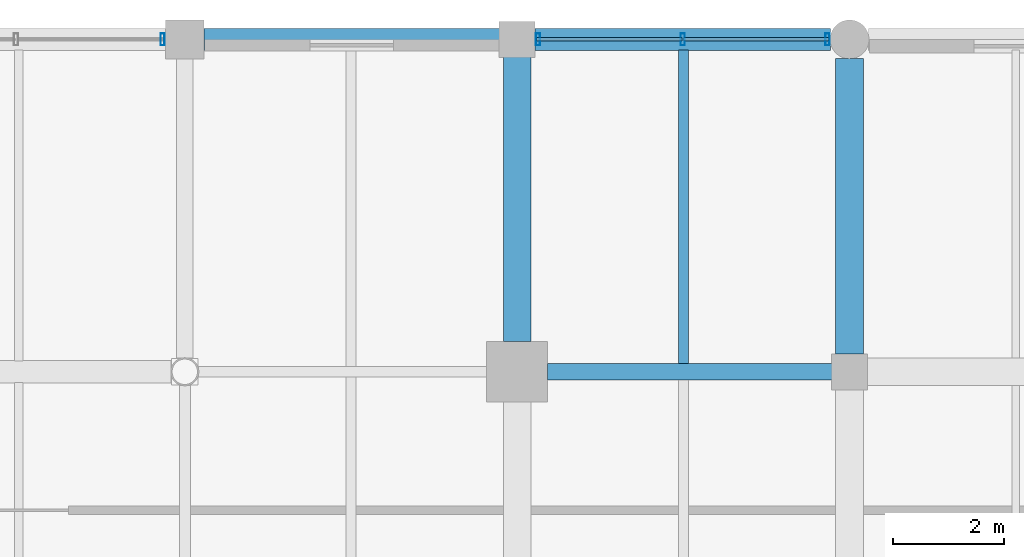
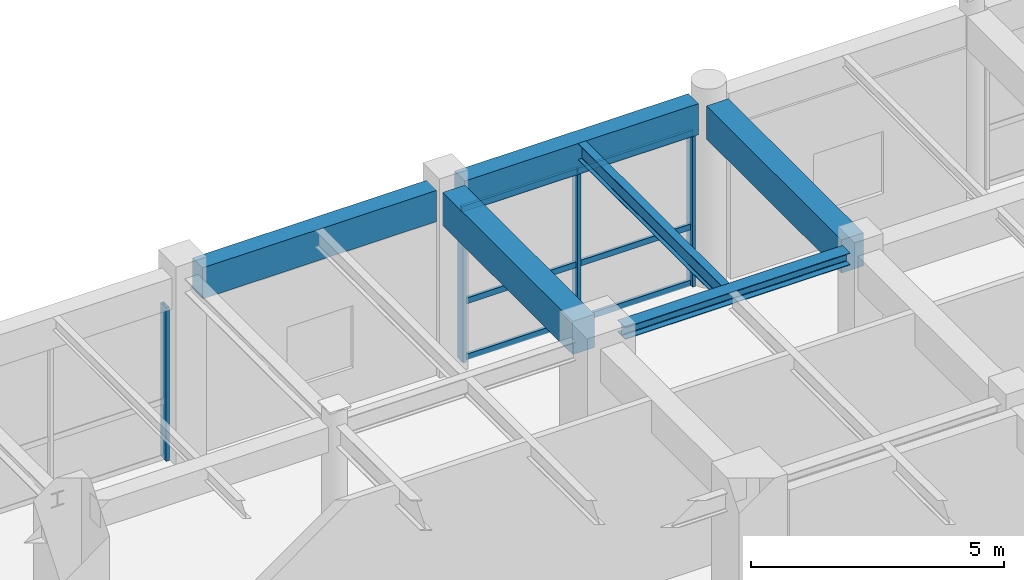
# One storey, part 63 of 123: 10 members, 6 beams, 2 elements without a shape of their own.
"""IFC4 building model written with IfcOpenShell, lengths in metres."""

from ifc_helpers import new_model, si_unit, direction, frame, origin, origin_2d, place, context, subcontext, project, spatial, rectangle, hollow_rectangle, i_section, extrude, material, material_profile, profile_set, type_object, element, aggregate, save


model = new_model("IFC4")

# Units and contexts
model_context = context("Model", 3, precision=1e-05, world=origin(), true_north=direction((0.0, 1.0)))
body_context = subcontext(model_context, "Body", "Model", "MODEL_VIEW")
ifc_project = project(units=[si_unit("LENGTHUNIT", "METRE"), si_unit("AREAUNIT", "SQUARE_METRE"), si_unit("VOLUMEUNIT", "CUBIC_METRE"), si_unit("PLANEANGLEUNIT", "RADIAN"), si_unit("MASSUNIT", "GRAM", prefix="KILO"), si_unit("THERMODYNAMICTEMPERATUREUNIT", "KELVIN"), si_unit("POWERUNIT", "WATT")], contexts=[model_context])

# Site, building, storey
site_placement = place(None, origin())
site = spatial("IfcSite", under=ifc_project, at=site_placement, CompositionType="ELEMENT")
building_placement = place(site_placement, origin())
building = spatial("IfcBuilding", under=site, at=building_placement, Name="Phaisarnlok Congress Hotel", CompositionType="ELEMENT")
storey_placement = place(building_placement, frame((0.0, 0.0, 15.0)))
storey = spatial("IfcBuildingStorey", under=building, at=storey_placement, Name="L03", CompositionType="ELEMENT", Elevation=15.0)

# Beams
ifc_material_1 = material(Name="Concrete C40/50", Category="concrete")
ifc_material_profile_1 = material_profile(ifc_material_1, rectangle(XDim=0.5, YDim=0.800048828125, at=origin_2d()), Name="RC 500x800")
ifc_profile_set_1 = profile_set([ifc_material_profile_1], Name="Concrete C40/50")
beam_type_1 = type_object("IfcBeamType", Name="BM-RC-500x800", PredefinedType="BEAM", material=ifc_profile_set_1)
beam_1_placement = place(storey_placement, frame((120.0, 120.544921875, 4.050048828125), z_axis=(0.0, 1.0, 0.0), x_axis=(-1.0, 0.0, 0.0)))
element("IfcBeam", 1, at=beam_1_placement, inside=storey, type_object=beam_type_1, Name="Beam B-04", PredefinedType="BEAM", context=body_context, shape_type="SweptSolid", body=[
    extrude(rectangle(XDim=0.5, YDim=0.800048828125, at=origin_2d()), origin(), (0.0, 0.0, 1.0), 5.135009765625),
])
beam_2_placement = place(storey_placement, frame((126.0, 120.320068359375, 4.050048828125), z_axis=(0.0, 1.0, 0.0), x_axis=(-1.0, 0.0, 0.0)))
element("IfcBeam", 2, at=beam_2_placement, inside=storey, type_object=beam_type_1, Name="Beam B-04", PredefinedType="BEAM", context=body_context, shape_type="SweptSolid", body=[
    extrude(rectangle(XDim=0.5, YDim=0.800048828125, at=origin_2d()), origin(), (0.0, 0.0, 1.0), 5.3349609375),
])
ifc_material_2 = material(Name="Steel S355", Category="steel")
ifc_material_profile_2 = material_profile(ifc_material_2, i_section(OverallWidth=0.300048828125, OverallDepth=0.2900390625, WebThickness=0.008544921875, FlangeThickness=0.013916015625, FilletRadius=0.027099609375, at=origin_2d()), Name="HEA 300")
ifc_profile_set_2 = profile_set([ifc_material_profile_2], Name="Steel S355")
beam_type_2 = type_object("IfcBeamType", Name="BM-STL-HEA300", PredefinedType="BEAM", material=ifc_profile_set_2)
beam_3_placement = place(storey_placement, frame((120.544921875, 120.0, 4.304931640625), z_axis=(1.0, 0.0, 0.0), x_axis=(0.0, 1.0, 0.0)))
element("IfcBeam", 3, at=beam_3_placement, inside=storey, type_object=beam_type_2, Name="Beam SB-05", PredefinedType="BEAM", context=body_context, shape_type="SweptSolid", body=[
    extrude(i_section(OverallWidth=0.300048828125, OverallDepth=0.2900390625, WebThickness=0.008544921875, FlangeThickness=0.013916015625, FilletRadius=0.027099609375, at=origin_2d()), origin(), (0.0, 0.0, 1.0), 5.135009765625),
])

# Curtain wall, members
ifc_material_3 = material(Name="Thermally Broken Unitised Aluminium & Low-E Glazing", Category="aluminium")
curtain_wall_type_1 = type_object("IfcCurtainWallType", Name="CW-UNIT-30", PredefinedType="NOTDEFINED", material=ifc_material_3)
curtain_wall_1_placement = place(storey_placement, origin())
curtain_wall_1 = element("IfcCurtainWall", 4, at=curtain_wall_1_placement, inside=storey, type_object=curtain_wall_type_1, Name="Unitised curtain wall CW-30 (L03)", PredefinedType="NOTDEFINED")
ifc_material_4 = material(Name="Anodised Aluminium Alloy 6063-T6", Category="aluminium")
ifc_material_profile_3 = material_profile(ifc_material_4, hollow_rectangle(XDim=0.074951171875, YDim=0.219970703125, WallThickness=0.0048828125, at=origin_2d()), Name="ALU-M 75x220x5")
ifc_profile_set_3 = profile_set([ifc_material_profile_3], Name="Anodised Aluminium Alloy 6063-T6")
member_type_1 = type_object("IfcMemberType", Name="CWM-220", PredefinedType="MULLION", material=ifc_profile_set_3)
member_1_placement = place(storey_placement, frame((125.60009765625, 126.0, 0.0), z_axis=(0.0, 0.0, 1.0), x_axis=(-1.0, 0.0, 0.0)))
member_1 = element("IfcMember", 5, at=member_1_placement, type_object=member_type_1, Name="Curtain wall mullion CWM-02", PredefinedType="MULLION", context=body_context, shape_type="SweptSolid", body=[
    extrude(hollow_rectangle(XDim=0.074951171875, YDim=0.219970703125, WallThickness=0.0048828125, at=origin_2d()), origin(), (0.0, 0.0, 1.0), 3.699951171875),
])
member_2_placement = place(storey_placement, frame((122.987548828125, 126.0, 0.0), z_axis=(0.0, 0.0, 1.0), x_axis=(-1.0, 0.0, 0.0)))
member_2 = element("IfcMember", 6, at=member_2_placement, type_object=member_type_1, Name="Curtain wall mullion CWM-02", PredefinedType="MULLION", context=body_context, shape_type="SweptSolid", body=[
    extrude(hollow_rectangle(XDim=0.074951171875, YDim=0.219970703125, WallThickness=0.0048828125, at=origin_2d()), origin(), (0.0, 0.0, 1.0), 3.699951171875),
])
member_3_placement = place(storey_placement, frame((120.375, 126.0, 0.0), z_axis=(0.0, 0.0, 1.0), x_axis=(-1.0, 0.0, 0.0)))
member_3 = element("IfcMember", 7, at=member_3_placement, type_object=member_type_1, Name="Curtain wall mullion CWM-02", PredefinedType="MULLION", context=body_context, shape_type="SweptSolid", body=[
    extrude(hollow_rectangle(XDim=0.074951171875, YDim=0.219970703125, WallThickness=0.0048828125, at=origin_2d()), origin(), (0.0, 0.0, 1.0), 3.699951171875),
])

# Curtain wall, member
curtain_wall_type_2 = type_object("IfcCurtainWallType", Name="CW-UNIT-31", PredefinedType="NOTDEFINED", material=ifc_material_3)
curtain_wall_2_placement = place(storey_placement, origin())
curtain_wall_2 = element("IfcCurtainWall", 8, at=curtain_wall_2_placement, inside=storey, type_object=curtain_wall_type_2, Name="Unitised curtain wall CW-31 (L03)", PredefinedType="NOTDEFINED")
member_4_placement = place(storey_placement, frame((113.60009765625, 126.0, 0.0), z_axis=(0.0, 0.0, 1.0), x_axis=(-1.0, 0.0, 0.0)))
member_4 = element("IfcMember", 9, at=member_4_placement, type_object=member_type_1, Name="Curtain wall mullion CWM-02", PredefinedType="MULLION", context=body_context, shape_type="SweptSolid", body=[
    extrude(hollow_rectangle(XDim=0.074951171875, YDim=0.219970703125, WallThickness=0.0048828125, at=origin_2d()), origin(), (0.0, 0.0, 1.0), 3.699951171875),
])
aggregate(curtain_wall_2, [member_4])

# Member
ifc_material_profile_4 = material_profile(ifc_material_4, hollow_rectangle(XDim=0.06494140625, YDim=0.139892578125, WallThickness=0.00390625, at=origin_2d()), Name="ALU-T 65x140x4")
ifc_profile_set_4 = profile_set([ifc_material_profile_4], Name="Anodised Aluminium Alloy 6063-T6")
member_type_2 = type_object("IfcMemberType", Name="CWT-150", PredefinedType="USERDEFINED", material=ifc_profile_set_4)
member_5_placement = place(storey_placement, frame((125.625, 126.0, 0.050048828125), z_axis=(-1.0, 0.0, 0.0), x_axis=(0.0, -1.0, 0.0)))
member_5 = element("IfcMember", 10, at=member_5_placement, type_object=member_type_2, Name="Curtain wall transom CWT-01", ObjectType="TRANSOM", PredefinedType="USERDEFINED", context=body_context, shape_type="SweptSolid", body=[
    extrude(hollow_rectangle(XDim=0.06494140625, YDim=0.139892578125, WallThickness=0.00390625, at=origin_2d()), origin(), (0.0, 0.0, 1.0), 2.62255859375),
])

member_6_placement = place(storey_placement, frame((125.625, 126.0, 1.406005859375), z_axis=(-1.0, 0.0, 0.0), x_axis=(0.0, -1.0, 0.0)))
member_6 = element("IfcMember", 11, at=member_6_placement, type_object=member_type_2, Name="Curtain wall transom CWT-01", ObjectType="TRANSOM", PredefinedType="USERDEFINED", context=body_context, shape_type="SweptSolid", body=[
    extrude(hollow_rectangle(XDim=0.06494140625, YDim=0.139892578125, WallThickness=0.00390625, at=origin_2d()), origin(), (0.0, 0.0, 1.0), 2.62255859375),
])

member_7_placement = place(storey_placement, frame((125.625, 126.0, 3.64990234375), z_axis=(-1.0, 0.0, 0.0), x_axis=(0.0, -1.0, 0.0)))
member_7 = element("IfcMember", 12, at=member_7_placement, type_object=member_type_2, Name="Curtain wall transom CWT-01", ObjectType="TRANSOM", PredefinedType="USERDEFINED", context=body_context, shape_type="SweptSolid", body=[
    extrude(hollow_rectangle(XDim=0.06494140625, YDim=0.139892578125, WallThickness=0.00390625, at=origin_2d()), origin(), (0.0, 0.0, 1.0), 2.62255859375),
])

member_8_placement = place(storey_placement, frame((122.972412109375, 126.0, 0.050048828125), z_axis=(-1.0, 0.0, 0.0), x_axis=(0.0, -1.0, 0.0)))
member_8 = element("IfcMember", 13, at=member_8_placement, type_object=member_type_2, Name="Curtain wall transom CWT-01", ObjectType="TRANSOM", PredefinedType="USERDEFINED", context=body_context, shape_type="SweptSolid", body=[
    extrude(hollow_rectangle(XDim=0.06494140625, YDim=0.139892578125, WallThickness=0.00390625, at=origin_2d()), origin(), (0.0, 0.0, 1.0), 2.622314453125),
])

member_9_placement = place(storey_placement, frame((122.972412109375, 126.0, 1.406005859375), z_axis=(-1.0, 0.0, 0.0), x_axis=(0.0, -1.0, 0.0)))
member_9 = element("IfcMember", 14, at=member_9_placement, type_object=member_type_2, Name="Curtain wall transom CWT-01", ObjectType="TRANSOM", PredefinedType="USERDEFINED", context=body_context, shape_type="SweptSolid", body=[
    extrude(hollow_rectangle(XDim=0.06494140625, YDim=0.139892578125, WallThickness=0.00390625, at=origin_2d()), origin(), (0.0, 0.0, 1.0), 2.622314453125),
])

member_10_placement = place(storey_placement, frame((122.972412109375, 126.0, 3.64990234375), z_axis=(-1.0, 0.0, 0.0), x_axis=(0.0, -1.0, 0.0)))
member_10 = element("IfcMember", 15, at=member_10_placement, type_object=member_type_2, Name="Curtain wall transom CWT-01", ObjectType="TRANSOM", PredefinedType="USERDEFINED", context=body_context, shape_type="SweptSolid", body=[
    extrude(hollow_rectangle(XDim=0.06494140625, YDim=0.139892578125, WallThickness=0.00390625, at=origin_2d()), origin(), (0.0, 0.0, 1.0), 2.622314453125),
])

aggregate(curtain_wall_1, [member_1, member_2, member_3, member_5, member_6, member_7, member_8, member_9, member_10])

# Beams
ifc_material_profile_5 = material_profile(ifc_material_2, i_section(OverallWidth=0.179931640625, OverallDepth=0.39990234375, WebThickness=0.008544921875, FlangeThickness=0.013427734375, FilletRadius=0.02099609375, at=origin_2d()), Name="IPE 400")
ifc_profile_set_5 = profile_set([ifc_material_profile_5], Name="Steel S355")
beam_type_3 = type_object("IfcBeamType", Name="JS-STL-IPE400", PredefinedType="JOIST", material=ifc_profile_set_5)
beam_4_placement = place(storey_placement, frame((123.0, 120.14501953125, 4.25), z_axis=(0.0, 1.0, 0.0), x_axis=(-1.0, 0.0, 0.0)))
element("IfcBeam", 16, at=beam_4_placement, inside=storey, type_object=beam_type_3, Name="Secondary floor joist J-05", PredefinedType="JOIST", context=body_context, shape_type="SweptSolid", body=[
    extrude(i_section(OverallWidth=0.179931640625, OverallDepth=0.39990234375, WebThickness=0.008544921875, FlangeThickness=0.013427734375, FilletRadius=0.02099609375, at=origin_2d()), origin(), (0.0, 0.0, 1.0), 5.659912109375),
])
ifc_material_profile_6 = material_profile(ifc_material_1, rectangle(XDim=0.39990234375, YDim=0.75, at=origin_2d()), Name="RC 400x750")
ifc_profile_set_6 = profile_set([ifc_material_profile_6], Name="Concrete C40/50")
beam_type_4 = type_object("IfcBeamType", Name="SP-RC-400x750", PredefinedType="SPANDREL", material=ifc_profile_set_6)
for number, where, z_axis, x_axis, name in (
    (17, (114.344970703125, 126.0, 4.074951171875), (1.0, 0.0, 0.0), (0.0, 1.0, 0.0), "Beam SP-02"),
    (18, (120.320068359375, 126.0, 4.074951171875), (1.0, 0.0, 0.0), (0.0, 1.0, 0.0), "Beam SP-02"),
):
    element("IfcBeam", number, at=place(storey_placement, frame(where, z_axis=z_axis, x_axis=x_axis)), inside=storey, type_object=beam_type_4, Name=name, PredefinedType="SPANDREL", context=body_context, shape_type="SweptSolid", body=[
        extrude(rectangle(XDim=0.39990234375, YDim=0.75, at=origin_2d()), origin(), (0.0, 0.0, 1.0), 5.3349609375),
    ])

save(model, "model.ifc")
